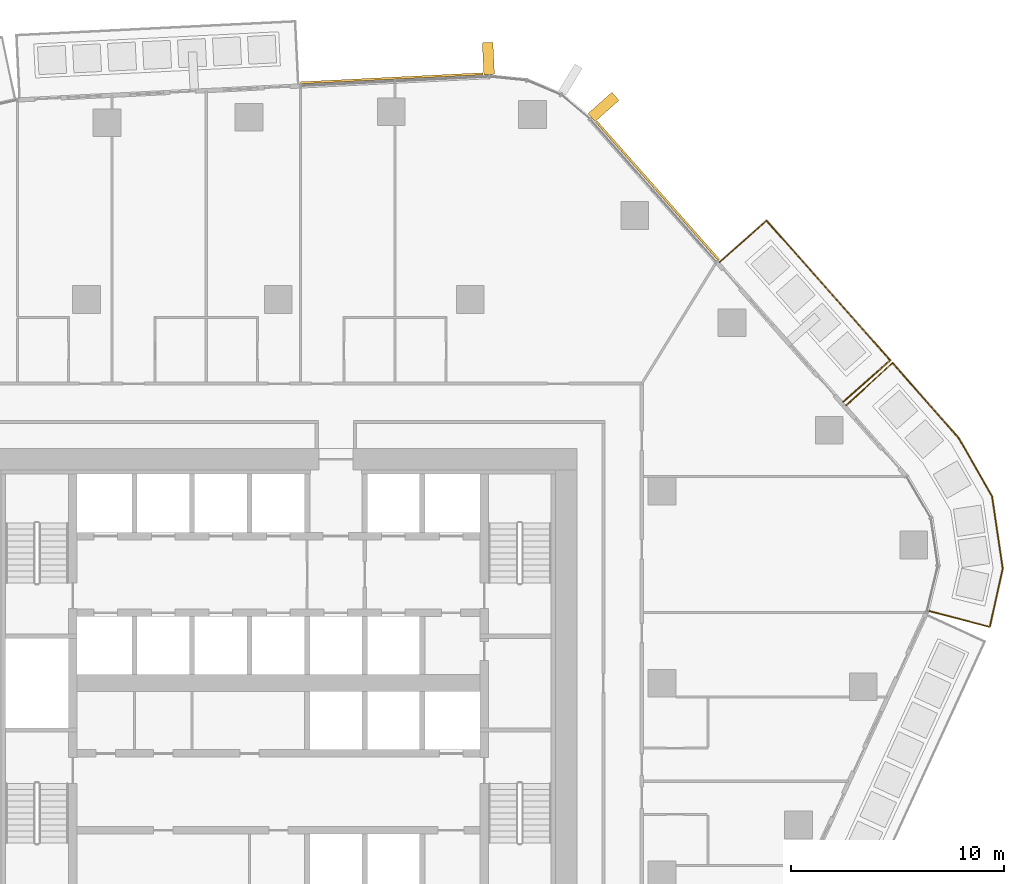
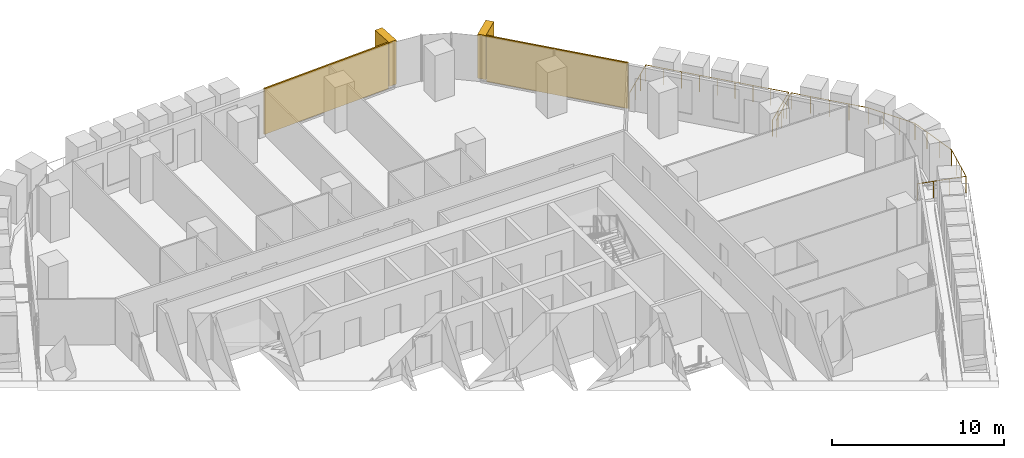
# One storey, part 24 of 24: 4 coverings, 2 railings, 2 elements without a shape of their own.
"""IFC4 building model written with IfcOpenShell, lengths in metres."""

from ifc_helpers import new_model, si_unit, direction, frame, origin, origin_2d, place, context, subcontext, project, spatial, rectangle, circle, extrude, material, layer, layer_set, material_profile, profile_set, type_object, element, aggregate, save


model = new_model("IFC4")

# Units and contexts
model_context = context("Model", 3, precision=1e-05, world=origin(), true_north=direction((0.0, 1.0)))
body_context = subcontext(model_context, "Body", "Model", "MODEL_VIEW")
ifc_project = project(units=[si_unit("LENGTHUNIT", "METRE"), si_unit("AREAUNIT", "SQUARE_METRE"), si_unit("VOLUMEUNIT", "CUBIC_METRE"), si_unit("PLANEANGLEUNIT", "RADIAN"), si_unit("MASSUNIT", "GRAM", prefix="KILO")], contexts=[model_context])

# Site, building, storey
site_placement = place(None, origin())
site = spatial("IfcSite", under=ifc_project, at=site_placement, CompositionType="ELEMENT")
building_placement = place(site_placement, origin())
building = spatial("IfcBuilding", under=site, at=building_placement, Name="Dongbaek Canopy Tower", CompositionType="ELEMENT")
storey_placement = place(building_placement, frame((0.0, 0.0, 98.89990234375)))
storey = spatial("IfcBuildingStorey", under=building, at=storey_placement, Name="L20", CompositionType="ELEMENT", Elevation=98.89990234375)

# Railings
ifc_material_1 = material(Name="Stainless steel", Category="steel")
railing_type = type_object("IfcRailingType", Name="Balcony balustrade 1200", PredefinedType="BALUSTRADE", material=ifc_material_1)
railing_1_placement = place(storey_placement, frame((26.4970703125, 13.195068359375, 0.0)))
element("IfcRailing", 1, at=railing_1_placement, inside=storey, type_object=railing_type, Name="Balcony guard L20 1", PredefinedType="BALUSTRADE", context=body_context, shape_type="SweptSolid", body=[
    extrude(circle(Radius=0.02392578125, at=origin_2d()), frame((0.0, 0.0, 1.17578125), z_axis=(0.748731822511, 0.662873033061, 0.0), x_axis=(-0.662873033061, 0.748731822511, 0.0)), (0.0, 0.0, 1.0), 2.940185546875),
    extrude(circle(Radius=0.02392578125, at=origin_2d()), frame((2.201416015625, 1.948974609375, 1.17578125), z_axis=(-0.662873847193, 0.748731101737, 0.0), x_axis=(-0.748731101737, -0.662873847193, 0.0)), (0.0, 0.0, 1.0), 8.743896484375),
    extrude(circle(Radius=0.02392578125, at=origin_2d()), frame((-3.5947265625, 8.495849609375, 1.17578125), z_axis=(-0.74873654889, -0.662867694458, 0.0), x_axis=(0.662867694458, -0.74873654889, 0.0)), (0.0, 0.0, 1.0), 2.93994140625),
    extrude(circle(Radius=0.02099609375, at=origin_2d()), origin(), (0.0, 0.0, 1.0), 1.15185546875),
    extrude(circle(Radius=0.02099609375, at=origin_2d()), frame((0.73388671875, 0.649658203125, 0.0)), (0.0, 0.0, 1.0), 1.15185546875),
    extrude(circle(Radius=0.02099609375, at=origin_2d()), frame((1.467529296875, 1.29931640625, 0.0)), (0.0, 0.0, 1.0), 1.15185546875),
    extrude(circle(Radius=0.02099609375, at=origin_2d()), frame((2.201416015625, 1.948974609375, 0.0)), (0.0, 0.0, 1.0), 1.15185546875),
    extrude(circle(Radius=0.02099609375, at=origin_2d()), frame((1.476806640625, 2.767333984375, 0.0)), (0.0, 0.0, 1.0), 1.15185546875),
    extrude(circle(Radius=0.02099609375, at=origin_2d()), frame((0.75244140625, 3.585693359375, 0.0)), (0.0, 0.0, 1.0), 1.15185546875),
    extrude(circle(Radius=0.02099609375, at=origin_2d()), frame((0.02783203125, 4.404052734375, 0.0)), (0.0, 0.0, 1.0), 1.15185546875),
    extrude(circle(Radius=0.02099609375, at=origin_2d()), frame((-0.69677734375, 5.222412109375, 0.0)), (0.0, 0.0, 1.0), 1.15185546875),
    extrude(circle(Radius=0.02099609375, at=origin_2d()), frame((-1.421142578125, 6.040771484375, 0.0)), (0.0, 0.0, 1.0), 1.15185546875),
    extrude(circle(Radius=0.02099609375, at=origin_2d()), frame((-2.145751953125, 6.859130859375, 0.0)), (0.0, 0.0, 1.0), 1.15185546875),
    extrude(circle(Radius=0.02099609375, at=origin_2d()), frame((-2.8701171875, 7.677490234375, 0.0)), (0.0, 0.0, 1.0), 1.15185546875),
    extrude(circle(Radius=0.02099609375, at=origin_2d()), frame((-3.5947265625, 8.495849609375, 0.0)), (0.0, 0.0, 1.0), 1.15185546875),
    extrude(circle(Radius=0.02099609375, at=origin_2d()), frame((-4.328369140625, 7.84619140625, 0.0)), (0.0, 0.0, 1.0), 1.15185546875),
    extrude(circle(Radius=0.02099609375, at=origin_2d()), frame((-5.062255859375, 7.19677734375, 0.0)), (0.0, 0.0, 1.0), 1.15185546875),
    extrude(circle(Radius=0.02099609375, at=origin_2d()), frame((-5.7958984375, 6.547119140625, 0.0)), (0.0, 0.0, 1.0), 1.15185546875),
])
railing_2_placement = place(storey_placement, frame((30.52734375, 3.384033203125, 0.0)))
element("IfcRailing", 2, at=railing_2_placement, inside=storey, type_object=railing_type, Name="Balcony guard L20 6", PredefinedType="BALUSTRADE", context=body_context, shape_type="SweptSolid", body=[
    extrude(circle(Radius=0.02392578125, at=origin_2d()), frame((0.0, 0.0, 1.17578125), z_axis=(0.966844010353, -0.255367694989, 0.0), x_axis=(0.255367694989, 0.966844010353, 0.0)), (0.0, 0.0, 1.0), 2.940673828125),
    extrude(circle(Radius=0.02392578125, at=origin_2d()), frame((2.84326171875, -0.7509765625, 1.17578125), z_axis=(0.216718750392, 0.97623408219, 0.0), x_axis=(-0.97623408219, 0.216718750392, 0.0)), (0.0, 0.0, 1.0), 2.808349609375),
    extrude(circle(Radius=0.02392578125, at=origin_2d()), frame((3.451904296875, 1.99072265625, 1.17578125), z_axis=(-0.146605569749, 0.989195029769, 0.0), x_axis=(-0.989195029769, -0.146605569749, 0.0)), (0.0, 0.0, 1.0), 3.42041015625),
    extrude(circle(Radius=0.02392578125, at=origin_2d()), frame((2.950439453125, 5.374267578125, 1.17578125), z_axis=(-0.496180794944, 0.868219222736, 0.0), x_axis=(-0.868219222736, -0.496180794944, 0.0)), (0.0, 0.0, 1.0), 3.140625),
    extrude(circle(Radius=0.02392578125, at=origin_2d()), frame((1.39208984375, 8.10107421875, 1.17578125), z_axis=(-0.660701434092, 0.750648796035, 0.0), x_axis=(-0.750648796035, -0.660701434092, 0.0)), (0.0, 0.0, 1.0), 4.714599609375),
    extrude(circle(Radius=0.02392578125, at=origin_2d()), frame((-1.722900390625, 11.64013671875, 1.17578125), z_axis=(-0.735089849868, -0.677969698896, 0.0), x_axis=(0.677969698896, -0.735089849868, 0.0)), (0.0, 0.0, 1.0), 2.940673828125),
    extrude(circle(Radius=0.02099609375, at=origin_2d()), origin(), (0.0, 0.0, 1.0), 1.15185546875),
    extrude(circle(Radius=0.02099609375, at=origin_2d()), frame((0.94775390625, -0.250244140625, 0.0)), (0.0, 0.0, 1.0), 1.15185546875),
    extrude(circle(Radius=0.02099609375, at=origin_2d()), frame((1.8955078125, -0.500732421875, 0.0)), (0.0, 0.0, 1.0), 1.15185546875),
    extrude(circle(Radius=0.02099609375, at=origin_2d()), frame((2.84326171875, -0.7509765625, 0.0)), (0.0, 0.0, 1.0), 1.15185546875),
    extrude(circle(Radius=0.02099609375, at=origin_2d()), frame((3.046142578125, 0.162841796875, 0.0)), (0.0, 0.0, 1.0), 1.15185546875),
    extrude(circle(Radius=0.02099609375, at=origin_2d()), frame((3.2490234375, 1.076904296875, 0.0)), (0.0, 0.0, 1.0), 1.15185546875),
    extrude(circle(Radius=0.02099609375, at=origin_2d()), frame((3.451904296875, 1.99072265625, 0.0)), (0.0, 0.0, 1.0), 1.15185546875),
    extrude(circle(Radius=0.02099609375, at=origin_2d()), frame((3.28466796875, 3.11865234375, 0.0)), (0.0, 0.0, 1.0), 1.15185546875),
    extrude(circle(Radius=0.02099609375, at=origin_2d()), frame((3.11767578125, 4.246337890625, 0.0)), (0.0, 0.0, 1.0), 1.15185546875),
    extrude(circle(Radius=0.02099609375, at=origin_2d()), frame((2.950439453125, 5.374267578125, 0.0)), (0.0, 0.0, 1.0), 1.15185546875),
    extrude(circle(Radius=0.02099609375, at=origin_2d()), frame((2.430908203125, 6.283203125, 0.0)), (0.0, 0.0, 1.0), 1.15185546875),
    extrude(circle(Radius=0.02099609375, at=origin_2d()), frame((1.91162109375, 7.192138671875, 0.0)), (0.0, 0.0, 1.0), 1.15185546875),
    extrude(circle(Radius=0.02099609375, at=origin_2d()), frame((1.39208984375, 8.10107421875, 0.0)), (0.0, 0.0, 1.0), 1.15185546875),
    extrude(circle(Radius=0.02099609375, at=origin_2d()), frame((0.61328125, 8.98583984375, 0.0)), (0.0, 0.0, 1.0), 1.15185546875),
    extrude(circle(Radius=0.02099609375, at=origin_2d()), frame((-0.16552734375, 9.87060546875, 0.0)), (0.0, 0.0, 1.0), 1.15185546875),
    extrude(circle(Radius=0.02099609375, at=origin_2d()), frame((-0.944091796875, 10.75537109375, 0.0)), (0.0, 0.0, 1.0), 1.15185546875),
    extrude(circle(Radius=0.02099609375, at=origin_2d()), frame((-1.722900390625, 11.64013671875, 0.0)), (0.0, 0.0, 1.0), 1.15185546875),
    extrude(circle(Radius=0.02099609375, at=origin_2d()), frame((-2.443359375, 10.9755859375, 0.0)), (0.0, 0.0, 1.0), 1.15185546875),
    extrude(circle(Radius=0.02099609375, at=origin_2d()), frame((-3.1640625, 10.31103515625, 0.0)), (0.0, 0.0, 1.0), 1.15185546875),
    extrude(circle(Radius=0.02099609375, at=origin_2d()), frame((-3.884521484375, 9.646484375, 0.0)), (0.0, 0.0, 1.0), 1.15185546875),
])

# Curtain wall, covering
ifc_material_2 = material(Name="Aluminium 6063-T6 pale anodised", Category="aluminium")
ifc_layer_1 = layer(ifc_material_2, 0.199951171875)
ifc_layer_set_1 = layer_set([ifc_layer_1], Name="CW-1 unitised tower curtain wall")
curtain_wall_type = type_object("IfcCurtainWallType", Name="CW-1 unitised tower curtain wall", PredefinedType="NOTDEFINED", material=ifc_layer_set_1)
curtain_wall_1_placement = place(storey_placement, origin())
curtain_wall_1 = element("IfcCurtainWall", 3, at=curtain_wall_1_placement, inside=storey, type_object=curtain_wall_type, Name="CW-1 curtain wall F0.1", PredefinedType="NOTDEFINED")
ifc_material_3 = material(Name="Perforated aluminium 6063-T6 pale metal screen", Category="aluminium")
ifc_layer_2 = layer(ifc_material_3, 0.10009765625)
ifc_layer_set_2 = layer_set([ifc_layer_2], Name="Facet screen FS1 100 pale metal")
covering_type_1 = type_object("IfcCoveringType", Name="Facet screen FS1 100 pale metal", PredefinedType="CLADDING", material=ifc_layer_set_2)
covering_1_placement = place(storey_placement, frame((17.790283203125, 23.099609375, 0.0), z_axis=(0.0, 0.0, 1.0), x_axis=(-0.66285400008, 0.748748672505, 0.0)))
covering_1 = element("IfcCovering", 4, at=covering_1_placement, type_object=covering_type_1, Name="Facet screen L20 F0", PredefinedType="CLADDING", context=body_context, shape_type="SweptSolid", body=[
    extrude(rectangle(XDim=8.66650390625, YDim=0.10009765625, at=origin_2d()), origin(), (0.0, 0.0, 1.0), 3.25),
])

curtain_wall_2_placement = place(storey_placement, origin())
curtain_wall_2 = element("IfcCurtainWall", 5, at=curtain_wall_2_placement, inside=storey, type_object=curtain_wall_type, Name="CW-1 curtain wall F1.1", PredefinedType="NOTDEFINED")
covering_2_placement = place(storey_placement, frame((5.316162109375, 28.37060546875, 0.0), z_axis=(0.0, 0.0, 1.0), x_axis=(-0.99877222271, -0.049538340132, 0.0)))
covering_2 = element("IfcCovering", 6, at=covering_2_placement, type_object=covering_type_1, Name="Facet screen L20 F1", PredefinedType="CLADDING", context=body_context, shape_type="SweptSolid", body=[
    extrude(rectangle(XDim=8.57275390625, YDim=0.10009765625, at=origin_2d()), origin(), (0.0, 0.0, 1.0), 3.25),
])

# Covering
ifc_material_4 = material(Name="Aluminium 6063-T6 pale metal fin", Category="aluminium")
ifc_material_profile = material_profile(ifc_material_4, rectangle(XDim=1.5, YDim=0.5, at=origin_2d()), Name="Fin FN1 500 x 1500 pale metal")
ifc_profile_set = profile_set([ifc_material_profile], Name="Aluminium 6063-T6 pale metal fin")
covering_type_2 = type_object("IfcCoveringType", Name="Fin FN1 500 x 1500 pale metal", PredefinedType="CLADDING", material=ifc_profile_set)
covering_3_placement = place(storey_placement, frame((15.2529296875, 27.02783203125, 0.1201171875), z_axis=(0.0, 0.0, 1.0), x_axis=(0.748748761505, 0.662853899547, 0.0)))
covering_3 = element("IfcCovering", 7, at=covering_3_placement, type_object=covering_type_2, Name="Fin F0.1.3", PredefinedType="CLADDING", context=body_context, shape_type="SweptSolid", body=[
    extrude(rectangle(XDim=1.5, YDim=0.5, at=origin_2d()), origin(), (0.0, 0.0, 1.0), 3.1298828125),
])

aggregate(curtain_wall_1, [covering_3, covering_1])

covering_4_placement = place(storey_placement, frame((9.85205078125, 29.300537109375, 0.1201171875), z_axis=(0.0, 0.0, 1.0), x_axis=(-0.049538109177, 0.998772234165, 0.0)))
covering_4 = element("IfcCovering", 8, at=covering_4_placement, type_object=covering_type_2, Name="Fin F1.1.1", PredefinedType="CLADDING", context=body_context, shape_type="SweptSolid", body=[
    extrude(rectangle(XDim=1.5, YDim=0.5, at=origin_2d()), origin(), (0.0, 0.0, 1.0), 3.1298828125),
])

aggregate(curtain_wall_2, [covering_4, covering_2])

save(model, "model.ifc")
